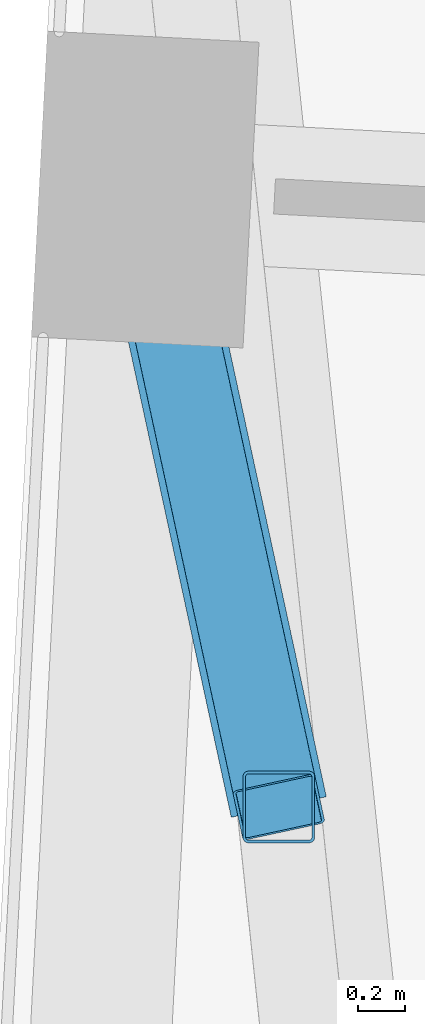
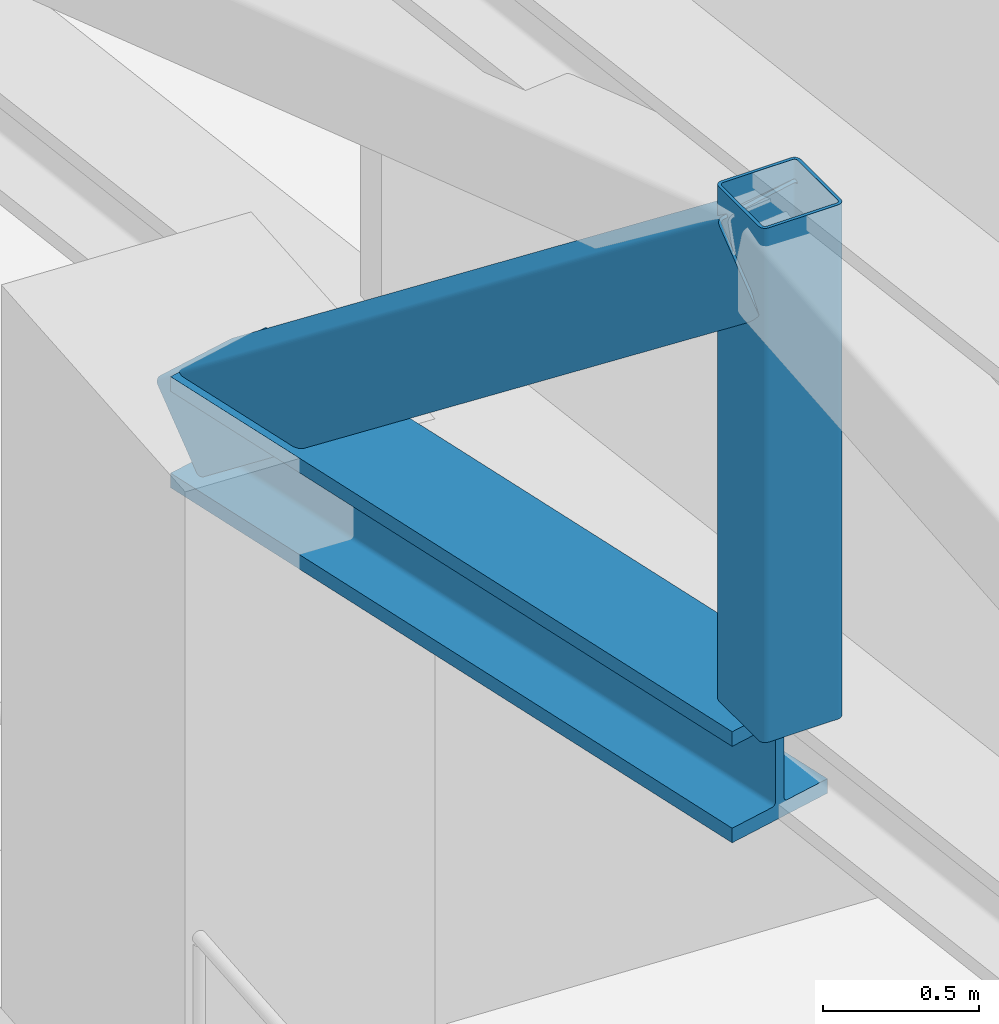
# One storey, part 6 of 26: 3 members.
"""IFC4 building model written with IfcOpenShell, lengths in metres."""

from ifc_helpers import new_model, si_unit, direction, frame, origin, origin_2d, place, context, subcontext, project, spatial, hollow_rectangle, i_section, extrude, material, material_profile, profile_set, type_object, element, save


model = new_model("IFC4")

# Units and contexts
model_context = context("Model", 3, precision=1e-05, world=origin(), true_north=direction((0.0, 1.0)))
body_context = subcontext(model_context, "Body", "Model", "MODEL_VIEW")
ifc_project = project(units=[si_unit("LENGTHUNIT", "METRE"), si_unit("AREAUNIT", "SQUARE_METRE"), si_unit("VOLUMEUNIT", "CUBIC_METRE"), si_unit("PLANEANGLEUNIT", "RADIAN"), si_unit("MASSUNIT", "GRAM", prefix="KILO")], contexts=[model_context])

# Site, building, storey
site_placement = place(None, origin())
site = spatial("IfcSite", under=ifc_project, at=site_placement, CompositionType="ELEMENT")
building_placement = place(site_placement, origin())
building = spatial("IfcBuilding", under=site, at=building_placement, Name="Tramontana Tower", CompositionType="ELEMENT")
storey_placement = place(building_placement, frame((0.0, 0.0, 157.60009765625)))
storey = spatial("IfcBuildingStorey", under=building, at=storey_placement, Name="L36", CompositionType="ELEMENT", Elevation=157.60009765625)

# Members
ifc_material_1 = material(Name="Steel ASTM A500 Grade C", Category="steel")
ifc_material_profile_1 = material_profile(ifc_material_1, hollow_rectangle(XDim=0.3046875, YDim=0.3046875, WallThickness=0.01171875, InnerFilletRadius=0.01171875, OuterFilletRadius=0.023681640625, at=origin_2d()), Name="HSS12X12X1/2")
ifc_profile_set_1 = profile_set([ifc_material_profile_1], Name="Steel ASTM A500 Grade C")
member_type_1 = type_object("IfcMemberType", Name="Belt truss HSS12X12X1/2 post", PredefinedType="POST", material=ifc_profile_set_1)
member_1_placement = place(storey_placement, frame((-16.459228515625, -1.72998046875, 2.8349609375), z_axis=(0.0, 0.0, 1.0), x_axis=(1.0, 0.0, 0.0)))
element("IfcMember", 1, at=member_1_placement, inside=storey, type_object=member_type_1, Name="Belt truss post C4F03", PredefinedType="POST", context=body_context, shape_type="SweptSolid", body=[
    extrude(hollow_rectangle(XDim=0.3046875, YDim=0.3046875, WallThickness=0.01171875, InnerFilletRadius=0.01171875, OuterFilletRadius=0.023681640625, at=origin_2d()), origin(), (0.0, 0.0, 1.0), 2.014892578125),
])
ifc_material_2 = material(Name="Steel ASTM A500 Grade C", Category="steel")
ifc_material_profile_2 = material_profile(ifc_material_2, hollow_rectangle(XDim=0.355712890625, YDim=0.355712890625, WallThickness=0.01171875, InnerFilletRadius=0.01171875, OuterFilletRadius=0.023681640625, at=origin_2d()), Name="HSS14X14X1/2")
ifc_profile_set_2 = profile_set([ifc_material_profile_2], Name="Steel ASTM A500 Grade C")
member_type_2 = type_object("IfcMemberType", Name="Transfer truss HSS14X14X1/2 brace", PredefinedType="BRACE", material=ifc_profile_set_2)
member_2_placement = place(storey_placement, frame((-17.026611328125, 0.892333984375, 2.617431640625), z_axis=(0.169098891828, -0.781536659694, 0.600504799595), x_axis=(0.977383675242, 0.211473760475, 0.0)))
element("IfcMember", 2, at=member_2_placement, inside=storey, type_object=member_type_2, Name="Transfer truss strut C4F03 diagonal", PredefinedType="BRACE", context=body_context, shape_type="SweptSolid", body=[
    extrude(hollow_rectangle(XDim=0.355712890625, YDim=0.355712890625, WallThickness=0.01171875, InnerFilletRadius=0.01171875, OuterFilletRadius=0.023681640625, at=origin_2d()), origin(), (0.0, 0.0, 1.0), 3.355224609375),
])
ifc_material_3 = material(Name="Steel ASTM A992 Grade 50", Category="steel")
ifc_material_profile_3 = material_profile(ifc_material_3, i_section(OverallWidth=0.412841796875, OverallDepth=0.43505859375, WebThickness=0.03662109375, FlangeThickness=0.05712890625, FilletRadius=0.01513671875, at=origin_2d()), Name="W14X311")
ifc_profile_set_3 = profile_set([ifc_material_profile_3], Name="Steel ASTM A992 Grade 50")
member_type_3 = type_object("IfcMemberType", Name="Transfer truss W14X311 strut", PredefinedType="STRUT", material=ifc_profile_set_3)
member_3_placement = place(storey_placement, frame((-17.026611328125, 0.892333984375, 2.617431640625), z_axis=(0.211473760475, -0.977383675242, 0.0), x_axis=(0.977383675242, 0.211473760475, 0.0)))
element("IfcMember", 3, at=member_3_placement, inside=storey, type_object=member_type_3, Name="Transfer truss strut C4F03 bottom", PredefinedType="STRUT", context=body_context, shape_type="SweptSolid", body=[
    extrude(i_section(OverallWidth=0.412841796875, OverallDepth=0.43505859375, WebThickness=0.03662109375, FlangeThickness=0.05712890625, FilletRadius=0.01513671875, at=origin_2d()), origin(), (0.0, 0.0, 1.0), 2.68310546875),
])

save(model, "model.ifc")
